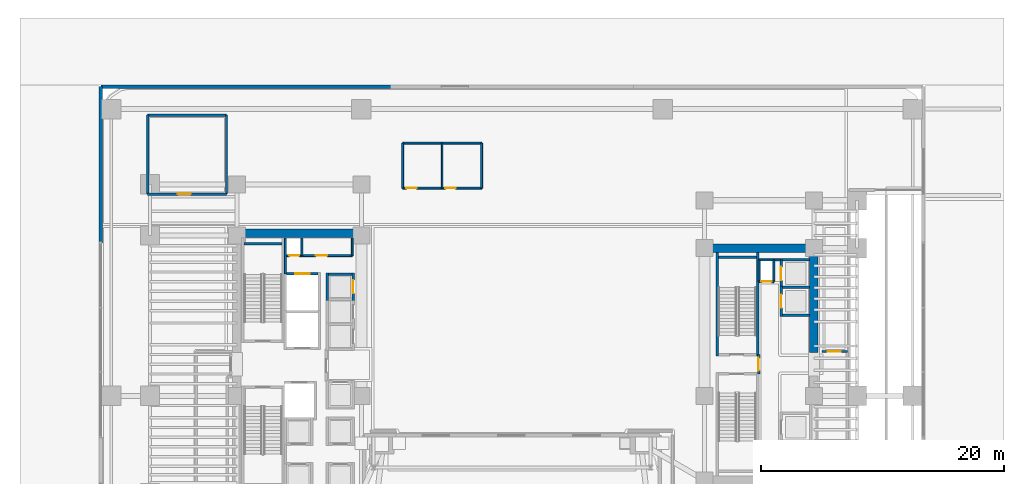
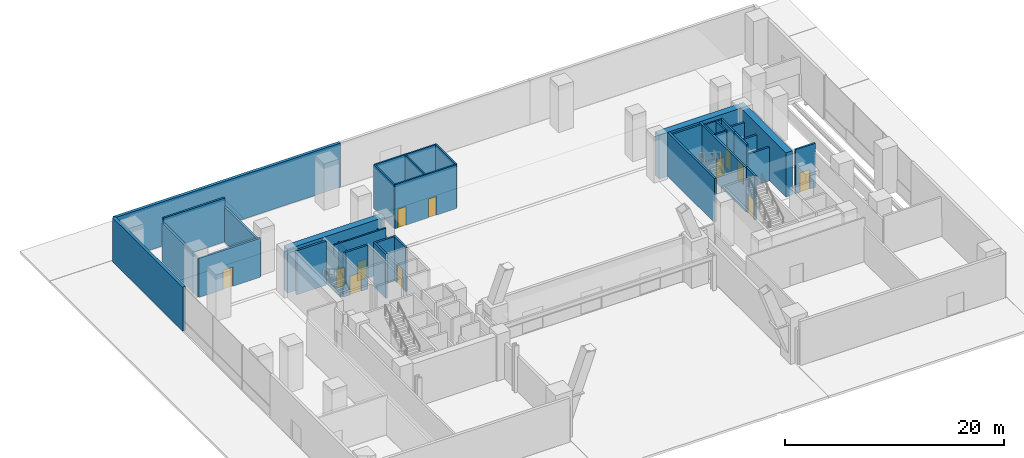
# One storey, part 18 of 27: 37 walls, 12 doors, 12 openings.
"""IFC4 building model written with IfcOpenShell, lengths in metres."""

import ifcopenshell
import ifcopenshell.guid

model = None  # the IFC model being written
_history = None  # IfcOwnerHistory: only IFC2X3 demands one
_inside = {}  # id of a spatial element -> (the spatial element, [elements in it])
_under = {}  # id of a project, library or spatial element -> (it, [spatial elements below it])
_declared = {}  # id of a project -> (the project, [libraries it declares])
_typed = {}  # id of a type object -> (the type object, [elements of that type])
_made_of = {}  # id of a material, layer set ... -> (it, [elements and type objects made of it])


def new_model(schema):
    """Start an empty IFC model of exactly this schema.

    Asked for "IFC4X3", IfcOpenShell would pick the latest addendum, in which some entities
    have other attributes; the version numbers below select the first issue.
    IFC2X3 requires an IfcOwnerHistory on every rooted entity: one is made here for all.
    """
    global model, _history
    if schema == "IFC4X3":
        model = ifcopenshell.file(schema_version=(4, 3, 0, 0))
    else:
        model = ifcopenshell.file(schema=schema)
    _inside.clear()
    _under.clear()
    _declared.clear()
    _typed.clear()
    _made_of.clear()
    _history = None
    if model.schema == "IFC2X3":
        org = make("IfcOrganization", Name="unknown")
        user = make(
            "IfcPersonAndOrganization",
            ThePerson=make("IfcPerson", FamilyName="unknown"),
            TheOrganization=org,
        )
        app = make(
            "IfcApplication",
            ApplicationDeveloper=org,
            Version="unknown",
            ApplicationFullName="unknown",
            ApplicationIdentifier="unknown",
        )
        _history = make(
            "IfcOwnerHistory",
            OwningUser=user,
            OwningApplication=app,
            ChangeAction="ADDED",
            CreationDate=0,
        )
    return model


def make(cls, **values):
    """One entity of the class cls with the attributes given. An attribute that is None is left unset."""
    return model.create_entity(
        cls, **{name: value for name, value in values.items() if value is not None}
    )


def rooted(cls, **values):
    """An entity with a GlobalId (a new one), such as an element, a storey or a relation."""
    return make(cls, GlobalId=ifcopenshell.guid.new(), OwnerHistory=_history, **values)


def si_unit(unit_type, name, prefix=None):
    """IfcSIUnit, for example si_unit("LENGTHUNIT", "METRE", prefix="MILLI")."""
    return make("IfcSIUnit", UnitType=unit_type, Prefix=prefix, Name=name)


def assignment(units):
    """IfcUnitAssignment: the units of a project."""
    return None if units is None else make("IfcUnitAssignment", Units=units)


def point(xyz):
    """IfcCartesianPoint."""
    return None if xyz is None else make("IfcCartesianPoint", Coordinates=xyz)


def direction(xyz):
    """IfcDirection."""
    return None if xyz is None else make("IfcDirection", DirectionRatios=xyz)


def frame(location, z_axis=None, x_axis=None):
    """IfcAxis2Placement3D, a coordinate frame: its origin and axes. An axis left out is left unset."""
    return make(
        "IfcAxis2Placement3D",
        Location=point(location),
        Axis=direction(z_axis),
        RefDirection=direction(x_axis),
    )


def frame_2d(location, x_axis=None):
    """IfcAxis2Placement2D, a coordinate frame in the plane: its origin and x axis."""
    return make(
        "IfcAxis2Placement2D", Location=point(location), RefDirection=direction(x_axis)
    )


def origin():
    """The frame at (0, 0, 0) with its axes left unset."""
    return frame((0.0, 0.0, 0.0))


def place(relative_to, where):
    """IfcLocalPlacement: puts the frame where relative to a parent placement (None: the world)."""
    return make(
        "IfcLocalPlacement", PlacementRelTo=relative_to, RelativePlacement=where
    )


def context(
    kind, dimensions, precision=None, world=None, true_north=None, identifier=None
):
    """IfcGeometricRepresentationContext, for example the 3D "Model" context."""
    return make(
        "IfcGeometricRepresentationContext",
        ContextIdentifier=identifier,
        ContextType=kind,
        CoordinateSpaceDimension=dimensions,
        Precision=precision,
        WorldCoordinateSystem=world,
        TrueNorth=true_north,
    )


def subcontext(parent, identifier, kind, view, scale=None):
    """IfcGeometricRepresentationSubContext, for example "Body" below "Model"."""
    return make(
        "IfcGeometricRepresentationSubContext",
        ContextIdentifier=identifier,
        ContextType=kind,
        ParentContext=parent,
        TargetScale=scale,
        TargetView=view,
    )


def project(units=None, contexts=None):
    """IfcProject with its units and contexts."""
    return rooted(
        "IfcProject",
        Name="project",
        RepresentationContexts=contexts,
        UnitsInContext=assignment(units),
    )


def spatial(cls, under=None, at=None, **own):
    """A site, building, storey or space (cls), placed at a placement, below another one or the project."""
    s = rooted(cls, ObjectPlacement=at, **own)
    if under is not None:
        _under.setdefault(under.id(), (under, []))[1].append(s)
    return s


def profile(cls, at=None, kind="AREA", **sizes):
    """A parametric profile (cls). Its sizes go by their IFC names, for example OverallWidth=200.0."""
    return make(cls, ProfileType=kind, Position=at, **sizes)


def rectangle(**sizes):
    """IfcRectangleProfileDef."""
    return profile("IfcRectangleProfileDef", **sizes)


def extrude(swept, where, along, depth):
    """IfcExtrudedAreaSolid: the profile swept, set in the frame where, extruded along a direction by depth."""
    return make(
        "IfcExtrudedAreaSolid",
        SweptArea=swept,
        Position=where,
        ExtrudedDirection=direction(along),
        Depth=depth,
    )


def shape(context_of_items, identifier, shape_type, items):
    """IfcShapeRepresentation: the items that make up one representation, for example the "Body"."""
    return make(
        "IfcShapeRepresentation",
        ContextOfItems=context_of_items,
        RepresentationIdentifier=identifier,
        RepresentationType=shape_type,
        Items=items,
    )


def material(Name=None, Category=None):
    """IfcMaterial."""
    return make("IfcMaterial", Name=Name, Category=Category)


def layer(
    of_material, thickness, ventilated=None, Name=None, Category=None, Priority=None
):
    """IfcMaterialLayer: one layer of a wall or slab, of a material (None: an air gap)."""
    return make(
        "IfcMaterialLayer",
        Material=of_material,
        LayerThickness=thickness,
        IsVentilated=ventilated,
        Name=Name,
        Category=Category,
        Priority=Priority,
    )


def layer_set(layers, Name=None):
    """IfcMaterialLayerSet."""
    return make("IfcMaterialLayerSet", MaterialLayers=layers, LayerSetName=Name)


def made_of(thing, what):
    """Note that an element or type object is made of a material, layer set ...; save() writes the relation."""
    if what is not None:
        _made_of.setdefault(what.id(), (what, []))[1].append(thing)
    return thing


def type_object(cls, material=None, **own):
    """A type object (cls), such as IfcWallType, which elements share."""
    return made_of(rooted(cls, **own), material)


def element(
    cls,
    number,
    at=None,
    inside=None,
    cuts=None,
    type_object=None,
    material=None,
    context=None,
    identifier="Body",
    shape_type=None,
    held_by="IfcProductDefinitionShape",
    body=None,
    shapes=None,
    **own,
):
    """One element of the class cls, such as IfcWall. Its Tag is "e" and its number.

    at: its placement. inside: the storey or other place that contains it. cuts: it is an
    opening in that element (IfcRelVoidsElement). A single representation is given by context,
    identifier, shape_type and body (its items); several are given by shapes. held_by: the class
    of the entity that holds the representations. save() writes the other relations.
    """
    e = rooted(cls, Tag="e%d" % number, ObjectPlacement=at, **own)
    if body is not None:
        shapes = [shape(context, identifier, shape_type, body)]
    if shapes is not None:
        e.Representation = make(held_by, Representations=shapes)
    if inside is not None:
        _inside.setdefault(inside.id(), (inside, []))[1].append(e)
    if cuts is not None:
        rooted(
            "IfcRelVoidsElement", RelatingBuildingElement=cuts, RelatedOpeningElement=e
        )
    if type_object is not None:
        _typed.setdefault(type_object.id(), (type_object, []))[1].append(e)
    return made_of(e, material)


def fill(opening, filler):
    """IfcRelFillsElement: the door or window that sits in an opening."""
    return rooted(
        "IfcRelFillsElement",
        RelatingOpeningElement=opening,
        RelatedBuildingElement=filler,
    )


def aggregate(whole, parts):
    """IfcRelAggregates: a whole, such as a stair, and the parts it consists of."""
    return rooted("IfcRelAggregates", RelatingObject=whole, RelatedObjects=parts)


def save(model, path):
    """Write the relations noted so far, then the file.

    IfcRelAggregates (storeys below a building ...), IfcRelContainedInSpatialStructure (elements
    in a storey), IfcRelDefinesByType, IfcRelAssociatesMaterial and IfcRelDeclares: one each for
    every whole, place, type object, material and project.
    """
    for whole, parts in _under.values():
        aggregate(whole, parts)
    for where, things in _inside.values():
        rooted(
            "IfcRelContainedInSpatialStructure",
            RelatedElements=things,
            RelatingStructure=where,
        )
    for kind, things in _typed.values():
        rooted("IfcRelDefinesByType", RelatedObjects=things, RelatingType=kind)
    for what, things in _made_of.values():
        rooted("IfcRelAssociatesMaterial", RelatedObjects=things, RelatingMaterial=what)
    for by, libraries in _declared.values():
        rooted("IfcRelDeclares", RelatingContext=by, RelatedDefinitions=libraries)
    model.write(path)


model = new_model("IFC4")

# Units and contexts
model_context = context("Model", 3, precision=1e-05, world=origin(), true_north=direction((0.0, 1.0)))
body_context = subcontext(model_context, "Body", "Model", "MODEL_VIEW")
ifc_project = project(units=[si_unit("LENGTHUNIT", "METRE"), si_unit("AREAUNIT", "SQUARE_METRE"), si_unit("VOLUMEUNIT", "CUBIC_METRE"), si_unit("PLANEANGLEUNIT", "RADIAN"), si_unit("MASSUNIT", "GRAM", prefix="KILO")], contexts=[model_context])

# Site, building, storey
site_placement = place(None, origin())
site = spatial("IfcSite", under=ifc_project, at=site_placement, CompositionType="ELEMENT")
building_placement = place(site_placement, origin())
building = spatial("IfcBuilding", under=site, at=building_placement, Name="Valdorenza Pilgrim Sanctuary Tower", CompositionType="ELEMENT")
storey_placement = place(building_placement, origin())
storey = spatial("IfcBuildingStorey", under=building, at=storey_placement, Name="L00", CompositionType="ELEMENT", Elevation=0.0)

# Wall
ifc_material_1 = material(Name="Acoustic twin-stud gypsum partition", Category="gypsum")
ifc_layer_1 = layer(ifc_material_1, 0.159912109375, Name="Acoustic twin-stud gypsum partition")
ifc_layer_set_1 = layer_set([ifc_layer_1], Name="Acoustic twin-stud gypsum partition")
wall_type_1 = type_object("IfcWallType", Name="WAL-COR-160", PredefinedType="PARTITIONING", material=ifc_layer_set_1)
wall_1_placement = place(storey_placement, frame((-18.64990234375, 7.449951171875, 0.0), z_axis=(0.0, 0.0, 1.0), x_axis=(0.0, 1.0, 0.0)))
element("IfcWall", 1, at=wall_1_placement, inside=storey, type_object=wall_type_1, Name="L00 Core A North Service West Wall", PredefinedType="PARTITIONING", context=body_context, shape_type="SweptSolid", body=[
    extrude(rectangle(XDim=2.929931640625, YDim=0.159912109375, at=frame_2d((1.46484375, 0.0))), origin(), (0.0, 0.0, 1.0), 3.95703125),
])

# Wall, openings, doors
wall_2_placement = place(storey_placement, frame((-18.64990234375, 8.949951171875, 0.0), z_axis=(0.0, 0.0, 1.0), x_axis=(1.0, 0.0, 0.0)))
wall_2 = element("IfcWall", 2, at=wall_2_placement, inside=storey, type_object=wall_type_1, Name="L00 Core A North Service South Wall", PredefinedType="PARTITIONING", context=body_context, shape_type="SweptSolid", body=[
    extrude(rectangle(XDim=5.5, YDim=0.159912109375, at=frame_2d((2.75, 0.0))), origin(), (0.0, 0.0, 1.0), 4.919921875),
])
opening_1_placement = place(wall_2_placement, frame((0.300048828125, 0.0, 0.0)))
opening_1 = element("IfcOpeningElement", 3, at=opening_1_placement, cuts=wall_2, Name="Opening DR-RS1", PredefinedType="OPENING", context=body_context, shape_type="SweptSolid", body=[
    extrude(rectangle(XDim=0.85009765625, YDim=2.050048828125, at=frame_2d((0.425048828125, 1.02490234375))), frame((0.0, 0.0947265625, 0.0), z_axis=(0.0, -1.0, 0.0), x_axis=(1.0, 0.0, 0.0)), (0.0, 0.0, 1.0), 0.189697265625),
])
opening_2_placement = place(wall_2_placement, frame((2.5, 0.0, 0.0)))
opening_2 = element("IfcOpeningElement", 4, at=opening_2_placement, cuts=wall_2, Name="Opening DR-UN1", PredefinedType="OPENING", context=body_context, shape_type="SweptSolid", body=[
    extrude(rectangle(XDim=0.949951171875, YDim=2.14990234375, at=frame_2d((0.47509765625, 1.074951171875))), frame((0.0, 0.0947265625, 0.0), z_axis=(0.0, -1.0, 0.0), x_axis=(1.0, 0.0, 0.0)), (0.0, 0.0, 1.0), 0.189697265625),
])
ifc_material_2 = material(Name="Painted galvanized steel", Category="steel")
door_type_1 = type_object("IfcDoorType", Name="DR-RSR-850", OperationType="NOTDEFINED", PredefinedType="DOOR", material=ifc_material_2)
door_1_placement = place(opening_1_placement, origin())
door_1 = element("IfcDoor", 5, at=door_1_placement, inside=storey, type_object=door_type_1, Name="L00 Core Electrical and Telecom Riser Door", OperationType="SINGLE_SWING_RIGHT", OverallHeight=2.050048828125, OverallWidth=0.85009765625, PredefinedType="DOOR", context=body_context, shape_type="SweptSolid", body=[
    extrude(rectangle(XDim=0.85009765625, YDim=2.050048828125, at=frame_2d((0.425048828125, 1.02490234375))), frame((0.0, 0.02490234375, 0.0), z_axis=(0.0, -1.0, 0.0), x_axis=(1.0, 0.0, 0.0)), (0.0, 0.0, 1.0), 0.050048828125),
])
fill(opening_1, door_1)
ifc_material_3 = material(Name="Solid-core European oak timber", Category="wood")
door_type_2 = type_object("IfcDoorType", Name="DR-UNIT-950", OperationType="NOTDEFINED", PredefinedType="DOOR", material=ifc_material_3)
door_2_placement = place(opening_2_placement, origin())
door_2 = element("IfcDoor", 6, at=door_2_placement, inside=storey, type_object=door_type_2, Name="L00 Core Janitor and Maintenance Store Door", OperationType="SINGLE_SWING_LEFT", OverallHeight=2.14990234375, OverallWidth=0.949951171875, PredefinedType="DOOR", context=body_context, shape_type="SweptSolid", body=[
    extrude(rectangle(XDim=0.949951171875, YDim=2.14990234375, at=frame_2d((0.47509765625, 1.074951171875))), frame((0.0, 0.02490234375, 0.0), z_axis=(0.0, -1.0, 0.0), x_axis=(1.0, 0.0, 0.0)), (0.0, 0.0, 1.0), 0.050048828125),
])
fill(opening_2, door_2)

# Walls
for number, where, z_axis, x_axis, name in (
    (7, (-13.14990234375, 8.949951171875, 0.0), (0.0, 0.0, 1.0), (0.0, 1.0, 0.0), "L00 Core A North Service East Wall"),
    (8, (-17.300048828125, 8.949951171875, 0.0), (0.0, 0.0, 1.0), (0.0, 1.0, 0.0), "L00 Core Electrical Riser Wall"),
):
    element("IfcWall", number, at=place(storey_placement, frame(where, z_axis=z_axis, x_axis=x_axis)), inside=storey, type_object=wall_type_1, Name=name, PredefinedType="PARTITIONING", context=body_context, shape_type="SweptSolid", body=[
        extrude(rectangle(XDim=1.429931640625, YDim=0.159912109375, at=frame_2d((0.71484375, 0.0))), origin(), (0.0, 0.0, 1.0), 3.95703125),
    ])

# Wall, opening, door
wall_3_placement = place(storey_placement, frame((20.35009765625, 6.800048828125, 0.0), z_axis=(0.0, 0.0, 1.0), x_axis=(1.0, 0.0, 0.0)))
wall_3 = element("IfcWall", 9, at=wall_3_placement, inside=storey, type_object=wall_type_1, Name="L00 Core B Riser South Wall", PredefinedType="PARTITIONING", context=body_context, shape_type="SweptSolid", body=[
    extrude(rectangle(XDim=1.199951171875, YDim=0.159912109375, at=frame_2d((0.60009765625, 0.0))), origin(), (0.0, 0.0, 1.0), 4.919921875),
])
opening_3_placement = place(wall_3_placement, frame((0.175048828125, 0.0, 0.0)))
opening_3 = element("IfcOpeningElement", 10, at=opening_3_placement, cuts=wall_3, Name="Opening DR-RS1", PredefinedType="OPENING", context=body_context, shape_type="SweptSolid", body=[
    extrude(rectangle(XDim=0.85009765625, YDim=2.050048828125, at=frame_2d((0.425048828125, 1.02490234375))), frame((0.0, 0.0947265625, 0.0), z_axis=(0.0, -1.0, 0.0), x_axis=(1.0, 0.0, 0.0)), (0.0, 0.0, 1.0), 0.189697265625),
])
door_3_placement = place(opening_3_placement, origin())
door_3 = element("IfcDoor", 11, at=door_3_placement, inside=storey, type_object=door_type_1, Name="L00 Core B Electrical Riser Door", OperationType="SINGLE_SWING_LEFT", OverallHeight=2.050048828125, OverallWidth=0.85009765625, PredefinedType="DOOR", context=body_context, shape_type="SweptSolid", body=[
    extrude(rectangle(XDim=0.85009765625, YDim=2.050048828125, at=frame_2d((0.425048828125, 1.02490234375))), frame((0.0, 0.02490234375, 0.0), z_axis=(0.0, -1.0, 0.0), x_axis=(1.0, 0.0, 0.0)), (0.0, 0.0, 1.0), 0.050048828125),
])
fill(opening_3, door_3)

# Walls
for number, where, z_axis, x_axis, name in (
    (12, (21.550048828125, 6.800048828125, 0.0), (0.0, 0.0, 1.0), (0.0, 1.0, 0.0), "L00 Core B Riser East Wall"),
    (13, (20.35009765625, 6.800048828125, 0.0), (0.0, 0.0, 1.0), (0.0, 1.0, 0.0), "L00 Core B Riser West Wall"),
):
    element("IfcWall", number, at=place(storey_placement, frame(where, z_axis=z_axis, x_axis=x_axis)), inside=storey, type_object=wall_type_1, Name=name, PredefinedType="PARTITIONING", context=body_context, shape_type="SweptSolid", body=[
        extrude(rectangle(XDim=1.800048828125, YDim=0.159912109375, at=frame_2d((0.89990234375, 0.0))), origin(), (0.0, 0.0, 1.0), 4.919921875),
    ])
wall_4_placement = place(storey_placement, frame((20.300048828125, 8.60009765625, 0.0), z_axis=(0.0, 0.0, 1.0), x_axis=(1.0, 0.0, 0.0)))
element("IfcWall", 14, at=wall_4_placement, inside=storey, type_object=wall_type_1, Name="L00 Core B Lift Hall North End Wall", PredefinedType="PARTITIONING", context=body_context, shape_type="SweptSolid", body=[
    extrude(rectangle(XDim=1.820068359375, YDim=0.159912109375, at=frame_2d((0.91015625, 0.0))), origin(), (0.0, 0.0, 1.0), 4.919921875),
])
for number, where, z_axis, x_axis, name in (
    (15, (-9.0, 14.5, 0.0), (0.0, 0.0, 1.0), (0.0, 1.0, 0.0), "L00 Washroom West Wall"),
    (16, (-2.5, 14.5, 0.0), (0.0, 0.0, 1.0), (0.0, 1.0, 0.0), "L00 Washroom East Wall"),
):
    element("IfcWall", number, at=place(storey_placement, frame(where, z_axis=z_axis, x_axis=x_axis)), inside=storey, type_object=wall_type_1, Name=name, PredefinedType="PARTITIONING", context=body_context, shape_type="SweptSolid", body=[
        extrude(rectangle(XDim=3.699951171875, YDim=0.159912109375, at=frame_2d((1.85009765625, 0.0))), origin(), (0.0, 0.0, 1.0), 4.919921875),
    ])

# Wall, openings, doors
wall_5_placement = place(storey_placement, frame((-9.0, 14.5, 0.0), z_axis=(0.0, 0.0, 1.0), x_axis=(1.0, 0.0, 0.0)))
wall_5 = element("IfcWall", 17, at=wall_5_placement, inside=storey, type_object=wall_type_1, Name="L00 Washroom South Wall", PredefinedType="PARTITIONING", context=body_context, shape_type="SweptSolid", body=[
    extrude(rectangle(XDim=6.5, YDim=0.159912109375, at=frame_2d((3.25, 0.0))), origin(), (0.0, 0.0, 1.0), 4.919921875),
])
opening_4_placement = place(wall_5_placement, frame((0.300048828125, 0.0, 0.0)))
opening_4 = element("IfcOpeningElement", 18, at=opening_4_placement, cuts=wall_5, Name="Opening DR-WC1", PredefinedType="OPENING", context=body_context, shape_type="SweptSolid", body=[
    extrude(rectangle(XDim=0.85009765625, YDim=2.10009765625, at=frame_2d((0.425048828125, 1.050048828125))), frame((0.0, 0.0947265625, 0.0), z_axis=(0.0, -1.0, 0.0), x_axis=(1.0, 0.0, 0.0)), (0.0, 0.0, 1.0), 0.189697265625),
])
opening_5_placement = place(wall_5_placement, frame((3.5, 0.0, 0.0)))
opening_5 = element("IfcOpeningElement", 19, at=opening_5_placement, cuts=wall_5, Name="Opening DR-WC1", PredefinedType="OPENING", context=body_context, shape_type="SweptSolid", body=[
    extrude(rectangle(XDim=0.85009765625, YDim=2.10009765625, at=frame_2d((0.425048828125, 1.050048828125))), frame((0.0, 0.0947265625, 0.0), z_axis=(0.0, -1.0, 0.0), x_axis=(1.0, 0.0, 0.0)), (0.0, 0.0, 1.0), 0.189697265625),
])
ifc_material_4 = material(Name="Moisture-resistant lacquered timber", Category="wood")
door_type_3 = type_object("IfcDoorType", Name="DR-BATH-850", OperationType="NOTDEFINED", PredefinedType="DOOR", material=ifc_material_4)
door_4_placement = place(opening_4_placement, origin())
door_4 = element("IfcDoor", 20, at=door_4_placement, inside=storey, type_object=door_type_3, Name="L00 Accessible Washroom Door", OperationType="SINGLE_SWING_RIGHT", OverallHeight=2.10009765625, OverallWidth=0.85009765625, PredefinedType="DOOR", context=body_context, shape_type="SweptSolid", body=[
    extrude(rectangle(XDim=0.85009765625, YDim=2.10009765625, at=frame_2d((0.425048828125, 1.050048828125))), frame((0.0, 0.02490234375, 0.0), z_axis=(0.0, -1.0, 0.0), x_axis=(1.0, 0.0, 0.0)), (0.0, 0.0, 1.0), 0.050048828125),
])
fill(opening_4, door_4)
door_5_placement = place(opening_5_placement, origin())
door_5 = element("IfcDoor", 21, at=door_5_placement, inside=storey, type_object=door_type_3, Name="L00 Public Washroom Door", OperationType="SINGLE_SWING_LEFT", OverallHeight=2.10009765625, OverallWidth=0.85009765625, PredefinedType="DOOR", context=body_context, shape_type="SweptSolid", body=[
    extrude(rectangle(XDim=0.85009765625, YDim=2.10009765625, at=frame_2d((0.425048828125, 1.050048828125))), frame((0.0, 0.02490234375, 0.0), z_axis=(0.0, -1.0, 0.0), x_axis=(1.0, 0.0, 0.0)), (0.0, 0.0, 1.0), 0.050048828125),
])
fill(opening_5, door_5)

# Walls
wall_6_placement = place(storey_placement, frame((-9.0, 18.199951171875, 0.0), z_axis=(0.0, 0.0, 1.0), x_axis=(1.0, 0.0, 0.0)))
element("IfcWall", 22, at=wall_6_placement, inside=storey, type_object=wall_type_1, Name="L00 Washroom North Wall", PredefinedType="PARTITIONING", context=body_context, shape_type="SweptSolid", body=[
    extrude(rectangle(XDim=6.5, YDim=0.159912109375, at=frame_2d((3.25, 0.0))), origin(), (0.0, 0.0, 1.0), 4.919921875),
])
ifc_material_5 = material(Name="Concrete C60/75", Category="concrete")
ifc_layer_2 = layer(ifc_material_5, 0.699951171875, Name="Concrete C60/75")
ifc_layer_set_2 = layer_set([ifc_layer_2], Name="Concrete C60/75")
wall_type_2 = type_object("IfcWallType", Name="WAL-COR-700", PredefinedType="SHEAR", material=ifc_layer_set_2)
wall_7_placement = place(storey_placement, frame((-22.64990234375, 10.800048828125, 0.0), z_axis=(0.0, 0.0, 1.0), x_axis=(1.0, 0.0, 0.0)))
element("IfcWall", 23, at=wall_7_placement, inside=storey, type_object=wall_type_2, Name="L00 Split Core A Shear Wall N", PredefinedType="SHEAR", context=body_context, shape_type="SweptSolid", body=[
    extrude(rectangle(XDim=10.25, YDim=0.699951171875, at=frame_2d((5.125, 0.0))), origin(), (0.0, 0.0, 1.0), 4.919921875),
])
wall_8_placement = place(storey_placement, frame((24.85009765625, 0.949951171875, 0.0), z_axis=(0.0, 0.0, 1.0), x_axis=(0.0, 1.0, 0.0)))
element("IfcWall", 24, at=wall_8_placement, inside=storey, type_object=wall_type_2, Name="L00 Split Core B Shear Wall EN", PredefinedType="SHEAR", context=body_context, shape_type="SweptSolid", body=[
    extrude(rectangle(XDim=8.949951171875, YDim=0.699951171875, at=frame_2d((4.47509765625, 0.0))), origin(), (0.0, 0.0, 1.0), 4.919921875),
])
wall_9_placement = place(storey_placement, frame((15.85009765625, 9.550048828125, 0.0), z_axis=(0.0, 0.0, 1.0), x_axis=(1.0, 0.0, 0.0)))
element("IfcWall", 25, at=wall_9_placement, inside=storey, type_object=wall_type_2, Name="L00 Split Core B Shear Wall N", PredefinedType="SHEAR", context=body_context, shape_type="SweptSolid", body=[
    extrude(rectangle(XDim=9.0, YDim=0.699951171875, at=frame_2d((4.5, 0.0))), origin(), (0.0, 0.0, 1.0), 4.919921875),
])
ifc_material_6 = material(Name="Honed travertine limestone", Category="masonry")
ifc_layer_3 = layer(ifc_material_6, 0.300048828125, Name="Honed travertine limestone")
ifc_layer_set_3 = layer_set([ifc_layer_3], Name="Honed travertine limestone")
wall_type_3 = type_object("IfcWallType", Name="WAL-EXT-300", PredefinedType="SOLIDWALL", material=ifc_layer_set_3)
wall_10_placement = place(storey_placement, frame((-33.85009765625, 9.97998046875, 0.0), z_axis=(0.0, 0.0, 1.0), x_axis=(0.0, 1.0, 0.0)))
element("IfcWall", 26, at=wall_10_placement, inside=storey, type_object=wall_type_3, Name="L00 Podium Honed Travertine Stone Wall W-N", PredefinedType="SOLIDWALL", context=body_context, shape_type="SweptSolid", body=[
    extrude(rectangle(XDim=12.8701171875, YDim=0.300048828125, at=frame_2d((6.43505859375, 0.0))), origin(), (0.0, 0.0, 1.0), 4.919921875),
])
wall_11_placement = place(storey_placement, frame((-33.85009765625, 22.85009765625, 0.0), z_axis=(0.0, 0.0, 1.0), x_axis=(1.0, 0.0, 0.0)))
element("IfcWall", 27, at=wall_11_placement, inside=storey, type_object=wall_type_3, Name="L00 Podium Honed Travertine Stone Wall N-W", PredefinedType="SOLIDWALL", context=body_context, shape_type="SweptSolid", body=[
    extrude(rectangle(XDim=23.8701171875, YDim=0.300048828125, at=frame_2d((11.93505859375, 0.0))), origin(), (0.0, 0.0, 1.0), 4.919921875),
])

# Wall, opening, door
ifc_material_7 = material(Name="Gypsum shaftwall partition", Category="gypsum")
ifc_layer_4 = layer(ifc_material_7, 0.199951171875, Name="Gypsum shaftwall partition")
ifc_layer_set_4 = layer_set([ifc_layer_4], Name="Gypsum shaftwall partition")
wall_type_4 = type_object("IfcWallType", Name="WAL-FFL-200", PredefinedType="PARTITIONING", material=ifc_layer_set_4)
wall_12_placement = place(storey_placement, frame((20.300048828125, -0.820068359375, 0.0), z_axis=(0.0, 0.0, 1.0), x_axis=(0.0, 1.0, 0.0)))
wall_12 = element("IfcWall", 28, at=wall_12_placement, inside=storey, type_object=wall_type_4, Name="L00 Core B Firefighting Lobby East Wall", PredefinedType="PARTITIONING", context=body_context, shape_type="SweptSolid", body=[
    extrude(rectangle(XDim=1.64013671875, YDim=0.199951171875, at=frame_2d((0.820068359375, 0.0))), origin(), (0.0, 0.0, 1.0), 4.919921875),
])
opening_6_placement = place(wall_12_placement, frame((0.294921875, 0.0, 0.0)))
opening_6 = element("IfcOpeningElement", 29, at=opening_6_placement, cuts=wall_12, Name="Opening DR-FL1", PredefinedType="OPENING", context=body_context, shape_type="SweptSolid", body=[
    extrude(rectangle(XDim=1.050048828125, YDim=2.14990234375, at=frame_2d((0.52490234375, 1.074951171875))), frame((0.0, 0.11474609375, 0.0), z_axis=(0.0, -1.0, 0.0), x_axis=(1.0, 0.0, 0.0)), (0.0, 0.0, 1.0), 0.229736328125),
])
door_type_4 = type_object("IfcDoorType", Name="DR-FFL-1050", OperationType="NOTDEFINED", PredefinedType="DOOR", material=ifc_material_2)
door_6_placement = place(opening_6_placement, origin())
door_6 = element("IfcDoor", 30, at=door_6_placement, inside=storey, type_object=door_type_4, Name="L00 Core B Firefighting Lobby Door", OperationType="SINGLE_SWING_RIGHT", OverallHeight=2.14990234375, OverallWidth=1.050048828125, PredefinedType="DOOR", context=body_context, shape_type="SweptSolid", body=[
    extrude(rectangle(XDim=1.050048828125, YDim=2.14990234375, at=frame_2d((0.52490234375, 1.074951171875))), frame((0.0, 0.02490234375, 0.0), z_axis=(0.0, -1.0, 0.0), x_axis=(1.0, 0.0, 0.0)), (0.0, 0.0, 1.0), 0.050048828125),
])
fill(opening_6, door_6)

wall_13_placement = place(storey_placement, frame((-30.0, 14.0, 0.0), z_axis=(0.0, 0.0, 1.0), x_axis=(1.0, 0.0, 0.0)))
wall_13 = element("IfcWall", 31, at=wall_13_placement, inside=storey, type_object=wall_type_4, Name="L00 Fire Command Room South Wall", PredefinedType="PARTITIONING", context=body_context, shape_type="SweptSolid", body=[
    extrude(rectangle(XDim=6.5, YDim=0.199951171875, at=frame_2d((3.25, 0.0))), origin(), (0.0, 0.0, 1.0), 4.35595703125),
])
opening_7_placement = place(wall_13_placement, frame((2.5, 0.0, 0.0)))
opening_7 = element("IfcOpeningElement", 32, at=opening_7_placement, cuts=wall_13, Name="Opening DR-FL1", PredefinedType="OPENING", context=body_context, shape_type="SweptSolid", body=[
    extrude(rectangle(XDim=1.050048828125, YDim=2.14990234375, at=frame_2d((0.52490234375, 1.074951171875))), frame((0.0, 0.11474609375, 0.0), z_axis=(0.0, -1.0, 0.0), x_axis=(1.0, 0.0, 0.0)), (0.0, 0.0, 1.0), 0.229736328125),
])
door_7_placement = place(opening_7_placement, frame((1.050048828125, 0.0, 0.0), z_axis=(0.0, 0.0, 1.0), x_axis=(-1.0, 0.0, 0.0)))
door_7 = element("IfcDoor", 33, at=door_7_placement, inside=storey, type_object=door_type_4, Name="L00 Fire Command Room Door", OperationType="SINGLE_SWING_LEFT", OverallHeight=2.14990234375, OverallWidth=1.050048828125, PredefinedType="DOOR", context=body_context, shape_type="SweptSolid", body=[
    extrude(rectangle(XDim=1.050048828125, YDim=2.14990234375, at=frame_2d((0.52490234375, 1.074951171875))), frame((0.0, 0.02490234375, 0.0), z_axis=(0.0, -1.0, 0.0), x_axis=(1.0, 0.0, 0.0)), (0.0, 0.0, 1.0), 0.050048828125),
])
fill(opening_7, door_7)

# Walls
wall_14_placement = place(storey_placement, frame((-30.0, 14.0, 0.0), z_axis=(0.0, 0.0, 1.0), x_axis=(0.0, 1.0, 0.0)))
element("IfcWall", 34, at=wall_14_placement, inside=storey, type_object=wall_type_4, Name="L00 Fire Command Room West Wall", PredefinedType="PARTITIONING", context=body_context, shape_type="SweptSolid", body=[
    extrude(rectangle(XDim=6.5, YDim=0.199951171875, at=frame_2d((3.25, 0.0))), origin(), (0.0, 0.0, 1.0), 4.35595703125),
])
wall_15_placement = place(storey_placement, frame((-23.5, 14.0, 0.0), z_axis=(0.0, 0.0, 1.0), x_axis=(0.0, 1.0, 0.0)))
element("IfcWall", 35, at=wall_15_placement, inside=storey, type_object=wall_type_4, Name="L00 Fire Command Room East Wall", PredefinedType="PARTITIONING", context=body_context, shape_type="SweptSolid", body=[
    extrude(rectangle(XDim=6.5, YDim=0.199951171875, at=frame_2d((3.25, 0.0))), origin(), (0.0, 0.0, 1.0), 3.95703125),
])
wall_16_placement = place(storey_placement, frame((-30.0, 20.5, 0.0), z_axis=(0.0, 0.0, 1.0), x_axis=(1.0, 0.0, 0.0)))
element("IfcWall", 36, at=wall_16_placement, inside=storey, type_object=wall_type_4, Name="L00 Fire Command Room North Wall", PredefinedType="PARTITIONING", context=body_context, shape_type="SweptSolid", body=[
    extrude(rectangle(XDim=6.5, YDim=0.199951171875, at=frame_2d((3.25, 0.0))), origin(), (0.0, 0.0, 1.0), 4.919921875),
])

# Wall, opening, door
wall_17_placement = place(storey_placement, frame((25.5, 1.050048828125, 0.0), z_axis=(0.0, 0.0, 1.0), x_axis=(1.0, 0.0, 0.0)))
wall_17 = element("IfcWall", 37, at=wall_17_placement, inside=storey, type_object=wall_type_4, Name="L00 Core B Protected Exit Passage North Door Wall", PredefinedType="PARTITIONING", context=body_context, shape_type="SweptSolid", body=[
    extrude(rectangle(XDim=2.10009765625, YDim=0.199951171875, at=frame_2d((1.050048828125, 0.0))), origin(), (0.0, 0.0, 1.0), 4.919921875),
])
opening_8_placement = place(wall_17_placement, frame((0.5, 0.0, 0.0)))
opening_8 = element("IfcOpeningElement", 38, at=opening_8_placement, cuts=wall_17, Name="Opening DR-FL1", PredefinedType="OPENING", context=body_context, shape_type="SweptSolid", body=[
    extrude(rectangle(XDim=1.050048828125, YDim=2.14990234375, at=frame_2d((0.52490234375, 1.074951171875))), frame((0.0, 0.11474609375, 0.0), z_axis=(0.0, -1.0, 0.0), x_axis=(1.0, 0.0, 0.0)), (0.0, 0.0, 1.0), 0.229736328125),
])
door_8_placement = place(opening_8_placement, frame((1.050048828125, 0.0, 0.0), z_axis=(0.0, 0.0, 1.0), x_axis=(-1.0, 0.0, 0.0)))
door_8 = element("IfcDoor", 39, at=door_8_placement, inside=storey, type_object=door_type_4, Name="L00 Core B East Concourse Fire Separation Door", OperationType="SINGLE_SWING_RIGHT", OverallHeight=2.14990234375, OverallWidth=1.050048828125, PredefinedType="DOOR", context=body_context, shape_type="SweptSolid", body=[
    extrude(rectangle(XDim=1.050048828125, YDim=2.14990234375, at=frame_2d((0.52490234375, 1.074951171875))), frame((0.0, 0.02490234375, 0.0), z_axis=(0.0, -1.0, 0.0), x_axis=(1.0, 0.0, 0.0)), (0.0, 0.0, 1.0), 0.050048828125),
])
fill(opening_8, door_8)

# Wall
ifc_material_8 = material(Name="Moisture-resistant gypsum partition", Category="gypsum")
ifc_layer_5 = layer(ifc_material_8, 0.1201171875, Name="Moisture-resistant gypsum partition")
ifc_layer_set_5 = layer_set([ifc_layer_5], Name="Moisture-resistant gypsum partition")
wall_type_5 = type_object("IfcWallType", Name="WAL-INT-120", PredefinedType="PARTITIONING", material=ifc_layer_set_5)
wall_18_placement = place(storey_placement, frame((-5.75, 14.5, 0.0), z_axis=(0.0, 0.0, 1.0), x_axis=(0.0, 1.0, 0.0)))
element("IfcWall", 40, at=wall_18_placement, inside=storey, type_object=wall_type_5, Name="L00 Washroom Divider Wall", PredefinedType="PARTITIONING", context=body_context, shape_type="SweptSolid", body=[
    extrude(rectangle(XDim=3.699951171875, YDim=0.1201171875, at=frame_2d((1.85009765625, 0.0))), origin(), (0.0, 0.0, 1.0), 4.919921875),
])

# Wall, opening, door
ifc_material_9 = material(Name="Autoclaved aerated concrete blockwork", Category="masonry")
ifc_layer_6 = layer(ifc_material_9, 0.199951171875, Name="Autoclaved aerated concrete blockwork")
ifc_layer_set_6 = layer_set([ifc_layer_6], Name="Autoclaved aerated concrete blockwork")
wall_type_6 = type_object("IfcWallType", Name="WAL-SHF-200", PredefinedType="MOVABLE", material=ifc_layer_set_6)
wall_19_placement = place(storey_placement, frame((-18.550048828125, 7.449951171875, 0.0), z_axis=(0.0, 0.0, 1.0), x_axis=(1.0, 0.0, 0.0)))
wall_19 = element("IfcWall", 41, at=wall_19_placement, inside=storey, type_object=wall_type_6, Name="L00 Lift SVL-01 Hoistway Wall North", PredefinedType="MOVABLE", context=body_context, shape_type="SweptSolid", body=[
    extrude(rectangle(XDim=2.60009765625, YDim=0.199951171875, at=frame_2d((1.300048828125, 0.0))), origin(), (0.0, 0.0, 1.0), 4.919921875),
])
opening_9_placement = place(wall_19_placement, frame((0.699951171875, 0.0, 0.0)))
opening_9 = element("IfcOpeningElement", 42, at=opening_9_placement, cuts=wall_19, Name="Opening LD-02", PredefinedType="OPENING", context=body_context, shape_type="SweptSolid", body=[
    extrude(rectangle(XDim=1.199951171875, YDim=2.10009765625, at=frame_2d((0.60009765625, 1.050048828125))), frame((0.0, 0.11474609375, 0.0), z_axis=(0.0, -1.0, 0.0), x_axis=(1.0, 0.0, 0.0)), (0.0, 0.0, 1.0), 0.229736328125),
])
ifc_material_10 = material(Name="Brushed stainless steel Grade 316", Category="steel")
door_type_5 = type_object("IfcDoorType", Name="DR-LFT-1200", OperationType="DOUBLE_DOOR_SLIDING", PredefinedType="DOOR", material=ifc_material_10)
door_9_placement = place(opening_9_placement, origin())
door_9 = element("IfcDoor", 43, at=door_9_placement, inside=storey, type_object=door_type_5, Name="L00 Lift SVL-01 Sliding Landing Door", OperationType="DOUBLE_DOOR_SLIDING", OverallHeight=2.10009765625, OverallWidth=1.199951171875, PredefinedType="DOOR", context=body_context, shape_type="SweptSolid", body=[
    extrude(rectangle(XDim=1.199951171875, YDim=2.10009765625, at=frame_2d((0.60009765625, 1.050048828125))), frame((0.0, 0.02490234375, 0.0), z_axis=(0.0, -1.0, 0.0), x_axis=(1.0, 0.0, 0.0)), (0.0, 0.0, 1.0), 0.050048828125),
])
fill(opening_9, door_9)

wall_20_placement = place(storey_placement, frame((22.14990234375, 3.949951171875, 0.0), z_axis=(0.0, 0.0, 1.0), x_axis=(0.0, 1.0, 0.0)))
wall_20 = element("IfcWall", 44, at=wall_20_placement, inside=storey, type_object=wall_type_6, Name="L00 Lift PL-07 Hoistway Wall West", PredefinedType="MOVABLE", context=body_context, shape_type="SweptSolid", body=[
    extrude(rectangle(XDim=2.47509765625, YDim=0.199951171875, at=frame_2d((1.237548828125, 0.0))), origin(), (0.0, 0.0, 1.0), 4.919921875),
])
opening_10_placement = place(wall_20_placement, frame((0.6875, 0.0, 0.0)))
opening_10 = element("IfcOpeningElement", 45, at=opening_10_placement, cuts=wall_20, Name="Opening LD-01", PredefinedType="OPENING", context=body_context, shape_type="SweptSolid", body=[
    extrude(rectangle(XDim=1.10009765625, YDim=2.10009765625, at=frame_2d((0.550048828125, 1.050048828125))), frame((0.0, 0.11474609375, 0.0), z_axis=(0.0, -1.0, 0.0), x_axis=(1.0, 0.0, 0.0)), (0.0, 0.0, 1.0), 0.229736328125),
])
door_type_6 = type_object("IfcDoorType", Name="DR-LFT-1100", OperationType="DOUBLE_DOOR_SLIDING", PredefinedType="DOOR", material=ifc_material_10)
door_10_placement = place(opening_10_placement, origin())
door_10 = element("IfcDoor", 46, at=door_10_placement, inside=storey, type_object=door_type_6, Name="L00 Lift PL-07 Sliding Landing Door", OperationType="DOUBLE_DOOR_SLIDING", OverallHeight=2.10009765625, OverallWidth=1.10009765625, PredefinedType="DOOR", context=body_context, shape_type="SweptSolid", body=[
    extrude(rectangle(XDim=1.10009765625, YDim=2.10009765625, at=frame_2d((0.550048828125, 1.050048828125))), frame((0.0, 0.02490234375, 0.0), z_axis=(0.0, -1.0, 0.0), x_axis=(1.0, 0.0, 0.0)), (0.0, 0.0, 1.0), 0.050048828125),
])
fill(opening_10, door_10)

# Walls
for number, where, z_axis, x_axis, name in (
    (47, (22.25, 4.050048828125, 0.0), (0.0, 0.0, 1.0), (1.0, 0.0, 0.0), "L00 Lift PL-07 Hoistway Wall South"),
    (48, (22.25, 6.324951171875, 0.0), (0.0, 0.0, 1.0), (1.0, 0.0, 0.0), "L00 Lift PL-07 Hoistway Wall North"),
):
    element("IfcWall", number, at=place(storey_placement, frame(where, z_axis=z_axis, x_axis=x_axis)), inside=storey, type_object=wall_type_6, Name=name, PredefinedType="MOVABLE", context=body_context, shape_type="SweptSolid", body=[
        extrude(rectangle(XDim=2.22998046875, YDim=0.199951171875, at=frame_2d((1.114990234375, 0.0))), origin(), (0.0, 0.0, 1.0), 3.7451171875),
    ])

# Wall, opening, door
wall_21_placement = place(storey_placement, frame((22.14990234375, 6.22509765625, 0.0), z_axis=(0.0, 0.0, 1.0), x_axis=(0.0, 1.0, 0.0)))
wall_21 = element("IfcWall", 49, at=wall_21_placement, inside=storey, type_object=wall_type_6, Name="L00 Lift PL-08 Hoistway Wall West", PredefinedType="MOVABLE", context=body_context, shape_type="SweptSolid", body=[
    extrude(rectangle(XDim=2.474853515625, YDim=0.199951171875, at=frame_2d((1.2373046875, 0.0))), origin(), (0.0, 0.0, 1.0), 4.919921875),
])
opening_11_placement = place(wall_21_placement, frame((0.6875, 0.0, 0.0)))
opening_11 = element("IfcOpeningElement", 50, at=opening_11_placement, cuts=wall_21, Name="Opening LD-01", PredefinedType="OPENING", context=body_context, shape_type="SweptSolid", body=[
    extrude(rectangle(XDim=1.10009765625, YDim=2.10009765625, at=frame_2d((0.550048828125, 1.050048828125))), frame((0.0, 0.11474609375, 0.0), z_axis=(0.0, -1.0, 0.0), x_axis=(1.0, 0.0, 0.0)), (0.0, 0.0, 1.0), 0.229736328125),
])
door_11_placement = place(opening_11_placement, origin())
door_11 = element("IfcDoor", 51, at=door_11_placement, inside=storey, type_object=door_type_6, Name="L00 Lift PL-08 Sliding Landing Door", OperationType="DOUBLE_DOOR_SLIDING", OverallHeight=2.10009765625, OverallWidth=1.10009765625, PredefinedType="DOOR", context=body_context, shape_type="SweptSolid", body=[
    extrude(rectangle(XDim=1.10009765625, YDim=2.10009765625, at=frame_2d((0.550048828125, 1.050048828125))), frame((0.0, 0.02490234375, 0.0), z_axis=(0.0, -1.0, 0.0), x_axis=(1.0, 0.0, 0.0)), (0.0, 0.0, 1.0), 0.050048828125),
])
fill(opening_11, door_11)

# Walls
wall_22_placement = place(storey_placement, frame((22.25, 8.60009765625, 0.0), z_axis=(0.0, 0.0, 1.0), x_axis=(1.0, 0.0, 0.0)))
element("IfcWall", 52, at=wall_22_placement, inside=storey, type_object=wall_type_6, Name="L00 Lift PL-08 Hoistway Wall North", PredefinedType="MOVABLE", context=body_context, shape_type="SweptSolid", body=[
    extrude(rectangle(XDim=2.22998046875, YDim=0.199951171875, at=frame_2d((1.114990234375, 0.0))), origin(), (0.0, 0.0, 1.0), 3.7451171875),
])
wall_23_placement = place(storey_placement, frame((-15.199951171875, 5.25, 0.0), z_axis=(0.0, 0.0, 1.0), x_axis=(0.0, 1.0, 0.0)))
element("IfcWall", 53, at=wall_23_placement, inside=storey, type_object=wall_type_6, Name="L00 Lift PL-10 Hoistway Wall West", PredefinedType="MOVABLE", context=body_context, shape_type="SweptSolid", body=[
    extrude(rectangle(XDim=2.25, YDim=0.199951171875, at=frame_2d((1.125, 0.0))), origin(), (0.0, 0.0, 1.0), 4.919921875),
])

# Wall, opening, door
wall_24_placement = place(storey_placement, frame((-13.080078125, 5.25, 0.0), z_axis=(0.0, 0.0, 1.0), x_axis=(0.0, 1.0, 0.0)))
wall_24 = element("IfcWall", 54, at=wall_24_placement, inside=storey, type_object=wall_type_6, Name="L00 Lift PL-10 Hoistway Wall East", PredefinedType="MOVABLE", context=body_context, shape_type="SweptSolid", body=[
    extrude(rectangle(XDim=2.25, YDim=0.199951171875, at=frame_2d((1.125, 0.0))), origin(), (0.0, 0.0, 1.0), 4.919921875),
])
opening_12_placement = place(wall_24_placement, frame((0.574951171875, 0.0, 0.0)))
opening_12 = element("IfcOpeningElement", 55, at=opening_12_placement, cuts=wall_24, Name="Opening LD-01", PredefinedType="OPENING", context=body_context, shape_type="SweptSolid", body=[
    extrude(rectangle(XDim=1.10009765625, YDim=2.10009765625, at=frame_2d((0.550048828125, 1.050048828125))), frame((0.0, 0.11474609375, 0.0), z_axis=(0.0, -1.0, 0.0), x_axis=(1.0, 0.0, 0.0)), (0.0, 0.0, 1.0), 0.229736328125),
])
door_12_placement = place(opening_12_placement, origin())
door_12 = element("IfcDoor", 56, at=door_12_placement, inside=storey, type_object=door_type_6, Name="L00 Lift PL-10 Sliding Landing Door", OperationType="DOUBLE_DOOR_SLIDING", OverallHeight=2.10009765625, OverallWidth=1.10009765625, PredefinedType="DOOR", context=body_context, shape_type="SweptSolid", body=[
    extrude(rectangle(XDim=1.10009765625, YDim=2.10009765625, at=frame_2d((0.550048828125, 1.050048828125))), frame((0.0, 0.02490234375, 0.0), z_axis=(0.0, -1.0, 0.0), x_axis=(1.0, 0.0, 0.0)), (0.0, 0.0, 1.0), 0.050048828125),
])
fill(opening_12, door_12)

# Walls
wall_25_placement = place(storey_placement, frame((-15.10009765625, 7.39990234375, 0.0), z_axis=(0.0, 0.0, 1.0), x_axis=(1.0, 0.0, 0.0)))
element("IfcWall", 57, at=wall_25_placement, inside=storey, type_object=wall_type_6, Name="L00 Lift PL-10 Hoistway Wall North", PredefinedType="MOVABLE", context=body_context, shape_type="SweptSolid", body=[
    extrude(rectangle(XDim=1.920166015625, YDim=0.199951171875, at=frame_2d((0.9599609375, 0.0))), origin(), (0.0, 0.0, 1.0), 4.919921875),
])
ifc_material_11 = material(Name="Concrete C40/50", Category="concrete")
ifc_layer_7 = layer(ifc_material_11, 0.219970703125, Name="Concrete C40/50")
ifc_layer_set_7 = layer_set([ifc_layer_7], Name="Concrete C40/50")
wall_type_7 = type_object("IfcWallType", Name="WAL-STR-SHF-220", PredefinedType="SHEAR", material=ifc_layer_set_7)
wall_26_placement = place(storey_placement, frame((-22.050048828125, 9.909912109375, 0.0), z_axis=(0.0, 0.0, 1.0), x_axis=(1.0, 0.0, 0.0)))
element("IfcWall", 58, at=wall_26_placement, inside=storey, type_object=wall_type_7, Name="L00 ST-A1 Structural Stairwell Wall N", PredefinedType="SHEAR", context=body_context, shape_type="SweptSolid", body=[
    extrude(rectangle(XDim=3.110107421875, YDim=0.219970703125, at=frame_2d((1.55517578125, 0.0))), origin(), (0.0, 0.0, 1.0), 4.919921875),
])
for number, where, z_axis, x_axis, name in (
    (59, (16.889892578125, 0.679931640625, 0.0), (0.0, 0.0, 1.0), (0.0, 1.0, 0.0), "L00 ST-B1 Structural Stairwell Wall W"),
    (60, (20.219970703125, 0.679931640625, 0.0), (0.0, 0.0, 1.0), (0.0, 1.0, 0.0), "L00 ST-B1 Structural Stairwell Wall E"),
):
    element("IfcWall", number, at=place(storey_placement, frame(where, z_axis=z_axis, x_axis=x_axis)), inside=storey, type_object=wall_type_7, Name=name, PredefinedType="SHEAR", context=body_context, shape_type="SweptSolid", body=[
        extrude(rectangle(XDim=8.52001953125, YDim=0.219970703125, at=frame_2d((4.260009765625, 0.0))), origin(), (0.0, 0.0, 1.0), 4.919921875),
    ])
wall_27_placement = place(storey_placement, frame((17.0, 8.81005859375, 0.0), z_axis=(0.0, 0.0, 1.0), x_axis=(1.0, 0.0, 0.0)))
element("IfcWall", 61, at=wall_27_placement, inside=storey, type_object=wall_type_7, Name="L00 ST-B1 Structural Stairwell Wall N", PredefinedType="SHEAR", context=body_context, shape_type="SweptSolid", body=[
    extrude(rectangle(XDim=3.110107421875, YDim=0.219970703125, at=frame_2d((1.55517578125, 0.0))), origin(), (0.0, 0.0, 1.0), 4.919921875),
])

save(model, "model.ifc")
